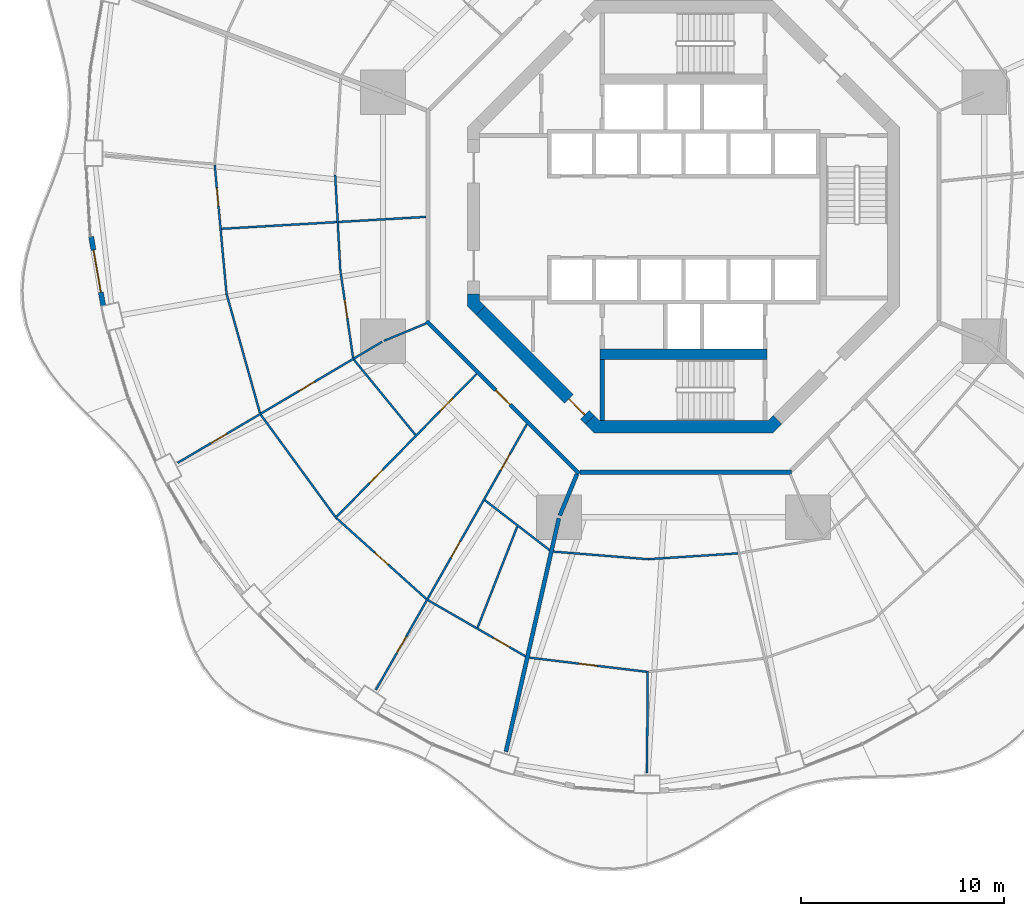
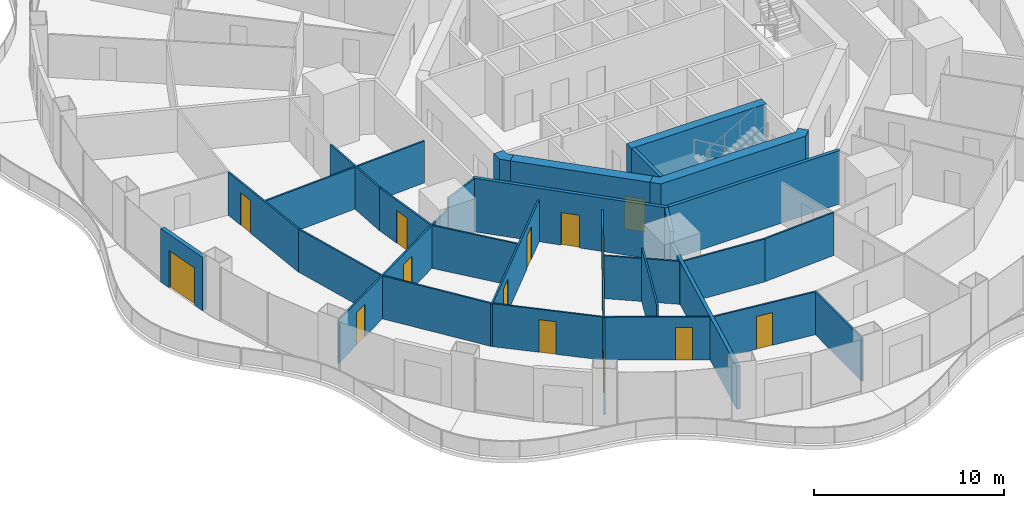
# One storey, part 14 of 22: 29 walls, 15 doors, 15 openings.
"""IFC4 building model written with IfcOpenShell, lengths in metres."""

from ifc_helpers import new_model, si_unit, direction, frame, frame_2d, origin, place, context, subcontext, project, spatial, polyline, rectangle, outline, extrude, material, layer, layer_set, type_object, element, fill, save


model = new_model("IFC4")

# Units and contexts
model_context = context("Model", 3, precision=1e-05, world=origin(), true_north=direction((0.0, 1.0)))
body_context = subcontext(model_context, "Body", "Model", "MODEL_VIEW")
ifc_project = project(units=[si_unit("LENGTHUNIT", "METRE"), si_unit("AREAUNIT", "SQUARE_METRE"), si_unit("VOLUMEUNIT", "CUBIC_METRE"), si_unit("PLANEANGLEUNIT", "RADIAN"), si_unit("MASSUNIT", "GRAM", prefix="KILO")], contexts=[model_context])

# Site, building, storey
site_placement = place(None, origin())
site = spatial("IfcSite", under=ifc_project, at=site_placement, CompositionType="ELEMENT")
building_placement = place(site_placement, origin())
building = spatial("IfcBuilding", under=site, at=building_placement, Name="Nagisa Residences", CompositionType="ELEMENT")
storey_placement = place(building_placement, frame((0.0, 0.0, 99.199951171875)))
storey = spatial("IfcBuildingStorey", under=building, at=storey_placement, Name="L24", CompositionType="ELEMENT", Elevation=99.199951171875)

# Walls
ifc_material_1 = material(Name="Gypsum board on steel studs", Category="steel")
ifc_layer_1 = layer(ifc_material_1, 0.199951171875)
ifc_layer_set_1 = layer_set([ifc_layer_1], Name="Apartment compartment wall EI60 200")
wall_type_1 = type_object("IfcWallType", Name="Apartment compartment wall EI60 200", PredefinedType="PARTITIONING", material=ifc_layer_set_1)
wall_1_placement = place(storey_placement, frame((-5.24267578125, -12.6572265625, 0.0), z_axis=(0.0, 0.0, 1.0), x_axis=(-0.382668627144, -0.923885664896, 0.0)))
element("IfcWall", 1, at=wall_1_placement, inside=storey, type_object=wall_type_1, Name="wall:L24:u06", PredefinedType="PARTITIONING", context=body_context, shape_type="SweptSolid", body=[
    extrude(rectangle(XDim=2.200439453125, YDim=0.199951171875, at=frame_2d((1.10009765625, 0.0))), origin(), (0.0, 0.0, 1.0), 3.43994140625),
])
wall_2_placement = place(storey_placement, frame((-6.134033203125, -14.830810546875, 0.0), z_axis=(0.0, 0.0, 1.0), x_axis=(-0.221225405869, -0.975222702667, 0.0)))
element("IfcWall", 2, at=wall_2_placement, inside=storey, type_object=wall_type_1, Name="wall:L24:u07", PredefinedType="PARTITIONING", context=body_context, shape_type="SweptSolid", body=[
    extrude(rectangle(XDim=11.760986328125, YDim=0.199951171875, at=frame_2d((5.88037109375, 0.0))), origin(), (0.0, 0.0, 1.0), 2.761962890625),
])

# Wall, opening, door
ifc_material_2 = material(Name="Gypsum board on steel studs", Category="steel")
ifc_layer_2 = layer(ifc_material_2, 0.199951171875)
ifc_layer_set_2 = layer_set([ifc_layer_2], Name="Apartment entry wall EI60 200")
wall_type_2 = type_object("IfcWallType", Name="Apartment entry wall EI60 200", PredefinedType="PARTITIONING", material=ifc_layer_set_2)
wall_3_placement = place(storey_placement, frame((-12.635498046875, -5.1337890625, 0.0), z_axis=(0.0, 0.0, 1.0), x_axis=(0.707106781187, -0.707106781187, 0.0)))
wall_3 = element("IfcWall", 3, at=wall_3_placement, inside=storey, type_object=wall_type_2, Name="wall:L24:u15", PredefinedType="PARTITIONING", context=body_context, shape_type="SweptSolid", body=[
    extrude(rectangle(XDim=10.609130859375, YDim=0.199951171875, at=frame_2d((5.3046875, 0.0))), origin(), (0.0, 0.0, 1.0), 3.43994140625),
])
opening_1_placement = place(wall_3_placement, frame((4.804443359375, 0.0, 0.0)))
opening_1 = element("IfcOpeningElement", 4, at=opening_1_placement, cuts=wall_3, Name="Opening L24-U01", PredefinedType="OPENING", context=body_context, shape_type="SweptSolid", body=[
    extrude(rectangle(XDim=1.0, YDim=2.10009765625, at=frame_2d((0.5, 1.050048828125))), frame((0.0, 0.10986328125, 0.0), z_axis=(0.0, -1.0, 0.0), x_axis=(1.0, 0.0, 0.0)), (0.0, 0.0, 1.0), 0.219970703125),
])
ifc_material_3 = material(Name="Timber fire door set", Category="wood")
door_type_1 = type_object("IfcDoorType", Name="Apartment entry door FD30S 1000x2100", OperationType="NOTDEFINED", PredefinedType="DOOR", material=ifc_material_3)
door_1_placement = place(opening_1_placement, frame((1.0, 0.0, 0.0), x_axis=(-1.0, 0.0, 0.0)))
door_1 = element("IfcDoor", 5, at=door_1_placement, inside=storey, type_object=door_type_1, Name="Entry door, Apartment 24A", OperationType="SINGLE_SWING_RIGHT", OverallHeight=2.10009765625, OverallWidth=1.0, PredefinedType="DOOR", context=body_context, shape_type="SweptSolid", body=[
    extrude(rectangle(XDim=1.0, YDim=2.10009765625, at=frame_2d((0.5, 1.050048828125))), frame((0.0, 0.02490234375, 0.0), z_axis=(0.0, -1.0, 0.0), x_axis=(1.0, 0.0, 0.0)), (0.0, 0.0, 1.0), 0.050048828125),
])
fill(opening_1, door_1)

# Walls
wall_4_placement = place(storey_placement, frame((-5.1044921875, -12.564697265625, 0.0), z_axis=(0.0, 0.0, 1.0), x_axis=(1.0, 0.0, 0.0)))
element("IfcWall", 6, at=wall_4_placement, inside=storey, type_object=wall_type_2, Name="wall:L24:u16", PredefinedType="PARTITIONING", context=body_context, shape_type="SweptSolid", body=[
    extrude(rectangle(XDim=10.408935546875, YDim=0.199951171875, at=frame_2d((5.20458984375, 0.0))), origin(), (0.0, 0.0, 1.0), 3.43994140625),
])
ifc_material_4 = material(Name="Gypsum board on steel studs", Category="steel")
ifc_layer_3 = layer(ifc_material_4, 0.10009765625)
ifc_layer_set_3 = layer_set([ifc_layer_3], Name="Apartment partition 100")
wall_type_3 = type_object("IfcWallType", Name="Apartment partition 100", PredefinedType="PARTITIONING", material=ifc_layer_set_3)
wall_5_placement = place(storey_placement, frame((-17.13330078125, 2.058349609375, 0.0), z_axis=(0.0, 0.0, 1.0), x_axis=(0.053747728717, -0.99855454616, 0.0)))
element("IfcWall", 7, at=wall_5_placement, inside=storey, type_object=wall_type_3, Name="wall:L24:u56", PredefinedType="PARTITIONING", context=body_context, shape_type="SweptSolid", body=[
    extrude(rectangle(XDim=4.7421875, YDim=0.10009765625, at=frame_2d((2.37109375, 0.0))), origin(), (0.0, 0.0, 1.0), 2.761962890625),
])

# Wall, opening, door
wall_6_placement = place(storey_placement, frame((-23.056884765625, 2.54248046875, 0.0), z_axis=(0.0, 0.0, 1.0), x_axis=(0.091364304609, -0.995817535417, 0.0)))
wall_6 = element("IfcWall", 8, at=wall_6_placement, inside=storey, type_object=wall_type_3, Name="wall:L24:u58", PredefinedType="PARTITIONING", context=body_context, shape_type="SweptSolid", body=[
    extrude(rectangle(XDim=6.402587890625, YDim=0.10009765625, at=frame_2d((3.201171875, 0.0))), origin(), (0.0, 0.0, 1.0), 2.761962890625),
])
opening_2_placement = place(wall_6_placement, frame((1.12548828125, 0.0, 0.0)))
opening_2 = element("IfcOpeningElement", 9, at=opening_2_placement, cuts=wall_6, Name="Opening L24-U12", PredefinedType="OPENING", context=body_context, shape_type="SweptSolid", body=[
    extrude(rectangle(XDim=0.89990234375, YDim=2.10009765625, at=frame_2d((0.449951171875, 1.050048828125))), frame((0.0, 0.06005859375, 0.0), z_axis=(0.0, -1.0, 0.0), x_axis=(1.0, 0.0, 0.0)), (0.0, 0.0, 1.0), 0.1201171875),
])
ifc_material_5 = material(Name="Timber door set", Category="wood")
door_type_2 = type_object("IfcDoorType", Name="Apartment door 900x2100", OperationType="NOTDEFINED", PredefinedType="DOOR", material=ifc_material_5)
door_2_placement = place(opening_2_placement, origin())
door_2 = element("IfcDoor", 10, at=door_2_placement, inside=storey, type_object=door_type_2, Name="Door to dining room, Apartment 24A", OperationType="SINGLE_SWING_RIGHT", OverallHeight=2.10009765625, OverallWidth=0.89990234375, PredefinedType="DOOR", context=body_context, shape_type="SweptSolid", body=[
    extrude(rectangle(XDim=0.89990234375, YDim=2.10009765625, at=frame_2d((0.449951171875, 1.050048828125))), frame((0.0, 0.02490234375, 0.0), z_axis=(0.0, -1.0, 0.0), x_axis=(1.0, 0.0, 0.0)), (0.0, 0.0, 1.0), 0.050048828125),
])
fill(opening_2, door_2)

# Wall
wall_7_placement = place(storey_placement, frame((-12.66455078125, -0.005859375, 0.0), z_axis=(0.0, 0.0, 1.0), x_axis=(-0.998300603128, -0.058274400843, 0.0)))
element("IfcWall", 11, at=wall_7_placement, inside=storey, type_object=wall_type_3, Name="wall:L24:u59", PredefinedType="PARTITIONING", context=body_context, shape_type="SweptSolid", body=[
    extrude(rectangle(XDim=10.071533203125, YDim=0.10009765625, at=frame_2d((5.03564453125, 0.0))), origin(), (0.0, 0.0, 1.0), 2.68701171875),
])

# Wall, opening, door
wall_8_placement = place(storey_placement, frame((-16.8740234375, -2.676513671875, 0.0), z_axis=(0.0, 0.0, 1.0), x_axis=(0.144260658133, -0.989539722555, 0.0)))
wall_8 = element("IfcWall", 12, at=wall_8_placement, inside=storey, type_object=wall_type_3, Name="wall:L24:u60", PredefinedType="PARTITIONING", context=body_context, shape_type="SweptSolid", body=[
    extrude(rectangle(XDim=4.308837890625, YDim=0.10009765625, at=frame_2d((2.154296875, 0.0))), origin(), (0.0, 0.0, 1.0), 2.761962890625),
])
opening_3_placement = place(wall_8_placement, frame((1.43359375, 0.0, 0.0)))
opening_3 = element("IfcOpeningElement", 13, at=opening_3_placement, cuts=wall_8, Name="Opening L24-U11", PredefinedType="OPENING", context=body_context, shape_type="SweptSolid", body=[
    extrude(rectangle(XDim=0.89990234375, YDim=2.10009765625, at=frame_2d((0.449951171875, 1.050048828125))), frame((0.0, 0.06005859375, 0.0), z_axis=(0.0, -1.0, 0.0), x_axis=(1.0, 0.0, 0.0)), (0.0, 0.0, 1.0), 0.1201171875),
])
door_3_placement = place(opening_3_placement, origin())
door_3 = element("IfcDoor", 14, at=door_3_placement, inside=storey, type_object=door_type_2, Name="Door to store, Apartment 24A", OperationType="SINGLE_SWING_LEFT", OverallHeight=2.10009765625, OverallWidth=0.89990234375, PredefinedType="DOOR", context=body_context, shape_type="SweptSolid", body=[
    extrude(rectangle(XDim=0.89990234375, YDim=2.10009765625, at=frame_2d((0.449951171875, 1.050048828125))), frame((0.0, 0.02490234375, 0.0), z_axis=(0.0, -1.0, 0.0), x_axis=(1.0, 0.0, 0.0)), (0.0, 0.0, 1.0), 0.050048828125),
])
fill(opening_3, door_3)

# Walls
wall_9_placement = place(storey_placement, frame((-22.462890625, -3.83154296875, 0.0), z_axis=(0.0, 0.0, 1.0), x_axis=(0.269797759333, -0.962917010473, 0.0)))
element("IfcWall", 15, at=wall_9_placement, inside=storey, type_object=wall_type_3, Name="wall:L24:u61", PredefinedType="PARTITIONING", context=body_context, shape_type="SweptSolid", body=[
    extrude(rectangle(XDim=6.04296875, YDim=0.10009765625, at=frame_2d((3.021484375, 0.0))), origin(), (0.0, 0.0, 1.0), 2.761962890625),
])
wall_10_placement = place(storey_placement, frame((-12.6572265625, -5.24267578125, 0.0), z_axis=(0.0, 0.0, 1.0), x_axis=(-0.923848837015, -0.382757529444, 0.0)))
element("IfcWall", 16, at=wall_10_placement, inside=storey, type_object=wall_type_3, Name="wall:L24:u62", PredefinedType="PARTITIONING", context=body_context, shape_type="SweptSolid", body=[
    extrude(rectangle(XDim=2.249755859375, YDim=0.10009765625, at=frame_2d((1.125, 0.0))), origin(), (0.0, 0.0, 1.0), 3.43994140625),
])

# Wall, openings, doors
wall_11_placement = place(storey_placement, frame((-14.824951171875, -6.1484375, 0.0), z_axis=(0.0, 0.0, 1.0), x_axis=(-0.860400431487, -0.509618580408, 0.0)))
wall_11 = element("IfcWall", 17, at=wall_11_placement, inside=storey, type_object=wall_type_3, Name="wall:L24:u63", PredefinedType="PARTITIONING", context=body_context, shape_type="SweptSolid", body=[
    extrude(rectangle(XDim=11.687744140625, YDim=0.10009765625, at=frame_2d((5.84375, 0.0))), origin(), (0.0, 0.0, 1.0), 2.761962890625),
])
opening_4_placement = place(wall_11_placement, frame((3.8583984375, 0.0, 0.0)))
opening_4 = element("IfcOpeningElement", 18, at=opening_4_placement, cuts=wall_11, Name="Opening L24-U08", PredefinedType="OPENING", context=body_context, shape_type="SweptSolid", body=[
    extrude(rectangle(XDim=0.89990234375, YDim=2.10009765625, at=frame_2d((0.449951171875, 1.050048828125))), frame((0.0, 0.06005859375, 0.0), z_axis=(0.0, -1.0, 0.0), x_axis=(1.0, 0.0, 0.0)), (0.0, 0.0, 1.0), 0.1201171875),
])
opening_5_placement = place(wall_11_placement, frame((8.876953125, 0.0, 0.0)))
opening_5 = element("IfcOpeningElement", 19, at=opening_5_placement, cuts=wall_11, Name="Opening L24-U10", PredefinedType="OPENING", context=body_context, shape_type="SweptSolid", body=[
    extrude(rectangle(XDim=0.89990234375, YDim=2.10009765625, at=frame_2d((0.449951171875, 1.050048828125))), frame((0.0, 0.06005859375, 0.0), z_axis=(0.0, -1.0, 0.0), x_axis=(1.0, 0.0, 0.0)), (0.0, 0.0, 1.0), 0.1201171875),
])
door_4_placement = place(opening_4_placement, frame((0.89990234375, 0.0, 0.0), x_axis=(-1.0, 0.0, 0.0)))
door_4 = element("IfcDoor", 20, at=door_4_placement, inside=storey, type_object=door_type_2, Name="Door to kitchen, Apartment 24A", OperationType="SINGLE_SWING_LEFT", OverallHeight=2.10009765625, OverallWidth=0.89990234375, PredefinedType="DOOR", context=body_context, shape_type="SweptSolid", body=[
    extrude(rectangle(XDim=0.89990234375, YDim=2.10009765625, at=frame_2d((0.449951171875, 1.050048828125))), frame((0.0, 0.02490234375, 0.0), z_axis=(0.0, -1.0, 0.0), x_axis=(1.0, 0.0, 0.0)), (0.0, 0.0, 1.0), 0.050048828125),
])
fill(opening_4, door_4)
door_5_placement = place(opening_5_placement, frame((0.89990234375, 0.0, 0.0), x_axis=(-1.0, 0.0, 0.0)))
door_5 = element("IfcDoor", 21, at=door_5_placement, inside=storey, type_object=door_type_2, Name="Door to living room, Apartment 24A", OperationType="SINGLE_SWING_LEFT", OverallHeight=2.10009765625, OverallWidth=0.89990234375, PredefinedType="DOOR", context=body_context, shape_type="SweptSolid", body=[
    extrude(rectangle(XDim=0.89990234375, YDim=2.10009765625, at=frame_2d((0.449951171875, 1.050048828125))), frame((0.0, 0.02490234375, 0.0), z_axis=(0.0, -1.0, 0.0), x_axis=(1.0, 0.0, 0.0)), (0.0, 0.0, 1.0), 0.050048828125),
])
fill(opening_5, door_5)

# Walls
wall_12_placement = place(storey_placement, frame((-16.213623046875, -7.0283203125, 0.0), z_axis=(0.0, 0.0, 1.0), x_axis=(0.633396341139, -0.773827548639, 0.0)))
element("IfcWall", 22, at=wall_12_placement, inside=storey, type_object=wall_type_3, Name="wall:L24:u64", PredefinedType="PARTITIONING", context=body_context, shape_type="SweptSolid", body=[
    extrude(rectangle(XDim=4.779052734375, YDim=0.10009765625, at=frame_2d((2.3896484375, 0.0))), origin(), (0.0, 0.0, 1.0), 2.761962890625),
])
wall_13_placement = place(storey_placement, frame((-20.78955078125, -9.739013671875, 0.0), z_axis=(0.0, 0.0, 1.0), x_axis=(0.589611246748, -0.807687178126, 0.0)))
element("IfcWall", 23, at=wall_13_placement, inside=storey, type_object=wall_type_3, Name="wall:L24:u65", PredefinedType="PARTITIONING", context=body_context, shape_type="SweptSolid", body=[
    extrude(rectangle(XDim=6.207763671875, YDim=0.10009765625, at=frame_2d((3.10400390625, 0.0))), origin(), (0.0, 0.0, 1.0), 2.761962890625),
])

# Wall, openings, doors
wall_14_placement = place(storey_placement, frame((-10.181396484375, -7.729248046875, 0.0), z_axis=(0.0, 0.0, 1.0), x_axis=(-0.699710752188, -0.714426247609, 0.0)))
wall_14 = element("IfcWall", 24, at=wall_14_placement, inside=storey, type_object=wall_type_3, Name="wall:L24:u66", PredefinedType="PARTITIONING", context=body_context, shape_type="SweptSolid", body=[
    extrude(rectangle(XDim=9.937744140625, YDim=0.10009765625, at=frame_2d((4.96875, 0.0))), origin(), (0.0, 0.0, 1.0), 2.68701171875),
])
opening_6_placement = place(wall_14_placement, frame((1.6748046875, 0.0, 0.0)))
opening_6 = element("IfcOpeningElement", 25, at=opening_6_placement, cuts=wall_14, Name="Opening L24-U02", PredefinedType="OPENING", context=body_context, shape_type="SweptSolid", body=[
    extrude(rectangle(XDim=0.89990234375, YDim=2.10009765625, at=frame_2d((0.449951171875, 1.050048828125))), frame((0.0, 0.06005859375, 0.0), z_axis=(0.0, -1.0, 0.0), x_axis=(1.0, 0.0, 0.0)), (0.0, 0.0, 1.0), 0.1201171875),
])
opening_7_placement = place(wall_14_placement, frame((6.61865234375, 0.0, 0.0)))
opening_7 = element("IfcOpeningElement", 26, at=opening_7_placement, cuts=wall_14, Name="Opening L24-U04", PredefinedType="OPENING", context=body_context, shape_type="SweptSolid", body=[
    extrude(rectangle(XDim=0.89990234375, YDim=2.10009765625, at=frame_2d((0.449951171875, 1.050048828125))), frame((0.0, 0.06005859375, 0.0), z_axis=(0.0, -1.0, 0.0), x_axis=(1.0, 0.0, 0.0)), (0.0, 0.0, 1.0), 0.1201171875),
])
door_6_placement = place(opening_6_placement, frame((0.89990234375, 0.0, 0.0), x_axis=(-1.0, 0.0, 0.0)))
door_6 = element("IfcDoor", 27, at=door_6_placement, inside=storey, type_object=door_type_2, Name="Door to family bathroom, Apartment 24A", OperationType="SINGLE_SWING_LEFT", OverallHeight=2.10009765625, OverallWidth=0.89990234375, PredefinedType="DOOR", context=body_context, shape_type="SweptSolid", body=[
    extrude(rectangle(XDim=0.89990234375, YDim=2.10009765625, at=frame_2d((0.449951171875, 1.050048828125))), frame((0.0, 0.02490234375, 0.0), z_axis=(0.0, -1.0, 0.0), x_axis=(1.0, 0.0, 0.0)), (0.0, 0.0, 1.0), 0.050048828125),
])
fill(opening_6, door_6)
door_7_placement = place(opening_7_placement, frame((0.89990234375, 0.0, 0.0), x_axis=(-1.0, 0.0, 0.0)))
door_7 = element("IfcDoor", 28, at=door_7_placement, inside=storey, type_object=door_type_2, Name="Door to study, Apartment 24A", OperationType="SINGLE_SWING_LEFT", OverallHeight=2.10009765625, OverallWidth=0.89990234375, PredefinedType="DOOR", context=body_context, shape_type="SweptSolid", body=[
    extrude(rectangle(XDim=0.89990234375, YDim=2.10009765625, at=frame_2d((0.449951171875, 1.050048828125))), frame((0.0, 0.02490234375, 0.0), z_axis=(0.0, -1.0, 0.0), x_axis=(1.0, 0.0, 0.0)), (0.0, 0.0, 1.0), 0.050048828125),
])
fill(opening_7, door_7)

# Wall, opening, door
wall_15_placement = place(storey_placement, frame((-17.062744140625, -14.826904296875, 0.0), z_axis=(0.0, 0.0, 1.0), x_axis=(0.743478142868, -0.668760234373, 0.0)))
wall_15 = element("IfcWall", 29, at=wall_15_placement, inside=storey, type_object=wall_type_3, Name="wall:L24:u67", PredefinedType="PARTITIONING", context=body_context, shape_type="SweptSolid", body=[
    extrude(rectangle(XDim=5.93701171875, YDim=0.10009765625, at=frame_2d((2.968505859375, 0.0))), origin(), (0.0, 0.0, 1.0), 2.761962890625),
])
opening_8_placement = place(wall_15_placement, frame((2.5185546875, 0.0, 0.0)))
opening_8 = element("IfcOpeningElement", 30, at=opening_8_placement, cuts=wall_15, Name="Opening L24-U06", PredefinedType="OPENING", context=body_context, shape_type="SweptSolid", body=[
    extrude(rectangle(XDim=0.89990234375, YDim=2.10009765625, at=frame_2d((0.449951171875, 1.050048828125))), frame((0.0, 0.06005859375, 0.0), z_axis=(0.0, -1.0, 0.0), x_axis=(1.0, 0.0, 0.0)), (0.0, 0.0, 1.0), 0.1201171875),
])
door_8_placement = place(opening_8_placement, frame((0.89990234375, 0.0, 0.0), x_axis=(-1.0, 0.0, 0.0)))
door_8 = element("IfcDoor", 31, at=door_8_placement, inside=storey, type_object=door_type_2, Name="Door to family room, Apartment 24A", OperationType="SINGLE_SWING_LEFT", OverallHeight=2.10009765625, OverallWidth=0.89990234375, PredefinedType="DOOR", context=body_context, shape_type="SweptSolid", body=[
    extrude(rectangle(XDim=0.89990234375, YDim=2.10009765625, at=frame_2d((0.449951171875, 1.050048828125))), frame((0.0, 0.02490234375, 0.0), z_axis=(0.0, -1.0, 0.0), x_axis=(1.0, 0.0, 0.0)), (0.0, 0.0, 1.0), 0.050048828125),
])
fill(opening_8, door_8)

# Wall, openings, doors
wall_16_placement = place(storey_placement, frame((-7.707275390625, -10.1982421875, 0.0), z_axis=(0.0, 0.0, 1.0), x_axis=(-0.49395524734, -0.869487328042, 0.0)))
wall_16 = element("IfcWall", 32, at=wall_16_placement, inside=storey, type_object=wall_type_3, Name="wall:L24:u68", PredefinedType="PARTITIONING", context=body_context, shape_type="SweptSolid", body=[
    extrude(rectangle(XDim=15.02490234375, YDim=0.10009765625, at=frame_2d((7.512451171875, 0.0))), origin(), (0.0, 0.0, 1.0), 2.68701171875),
])
opening_9_placement = place(wall_16_placement, frame((1.68359375, 0.0, 0.0)))
opening_9 = element("IfcOpeningElement", 33, at=opening_9_placement, cuts=wall_16, Name="Opening L24-U03", PredefinedType="OPENING", context=body_context, shape_type="SweptSolid", body=[
    extrude(rectangle(XDim=0.89990234375, YDim=2.10009765625, at=frame_2d((0.449951171875, 1.050048828125))), frame((0.0, 0.06005859375, 0.0), z_axis=(0.0, -1.0, 0.0), x_axis=(1.0, 0.0, 0.0)), (0.0, 0.0, 1.0), 0.1201171875),
])
opening_10_placement = place(wall_16_placement, frame((6.647705078125, 0.0, 0.0)))
opening_10 = element("IfcOpeningElement", 34, at=opening_10_placement, cuts=wall_16, Name="Opening L24-U05", PredefinedType="OPENING", context=body_context, shape_type="SweptSolid", body=[
    extrude(rectangle(XDim=0.89990234375, YDim=2.10009765625, at=frame_2d((0.449951171875, 1.050048828125))), frame((0.0, 0.06005859375, 0.0), z_axis=(0.0, -1.0, 0.0), x_axis=(1.0, 0.0, 0.0)), (0.0, 0.0, 1.0), 0.1201171875),
])
opening_11_placement = place(wall_16_placement, frame((12.026611328125, 0.0, 0.0)))
opening_11 = element("IfcOpeningElement", 35, at=opening_11_placement, cuts=wall_16, Name="Opening L24-U07", PredefinedType="OPENING", context=body_context, shape_type="SweptSolid", body=[
    extrude(rectangle(XDim=0.89990234375, YDim=2.10009765625, at=frame_2d((0.449951171875, 1.050048828125))), frame((0.0, 0.06005859375, 0.0), z_axis=(0.0, -1.0, 0.0), x_axis=(1.0, 0.0, 0.0)), (0.0, 0.0, 1.0), 0.1201171875),
])
door_9_placement = place(opening_9_placement, origin())
door_9 = element("IfcDoor", 36, at=door_9_placement, inside=storey, type_object=door_type_2, Name="Door to family bathroom, Apartment 24A", OperationType="SINGLE_SWING_LEFT", OverallHeight=2.10009765625, OverallWidth=0.89990234375, PredefinedType="DOOR", context=body_context, shape_type="SweptSolid", body=[
    extrude(rectangle(XDim=0.89990234375, YDim=2.10009765625, at=frame_2d((0.449951171875, 1.050048828125))), frame((0.0, 0.02490234375, 0.0), z_axis=(0.0, -1.0, 0.0), x_axis=(1.0, 0.0, 0.0)), (0.0, 0.0, 1.0), 0.050048828125),
])
fill(opening_9, door_9)
door_10_placement = place(opening_10_placement, origin())
door_10 = element("IfcDoor", 37, at=door_10_placement, inside=storey, type_object=door_type_2, Name="Door to family bathroom, Apartment 24A", OperationType="SINGLE_SWING_LEFT", OverallHeight=2.10009765625, OverallWidth=0.89990234375, PredefinedType="DOOR", context=body_context, shape_type="SweptSolid", body=[
    extrude(rectangle(XDim=0.89990234375, YDim=2.10009765625, at=frame_2d((0.449951171875, 1.050048828125))), frame((0.0, 0.02490234375, 0.0), z_axis=(0.0, -1.0, 0.0), x_axis=(1.0, 0.0, 0.0)), (0.0, 0.0, 1.0), 0.050048828125),
])
fill(opening_10, door_10)
door_11_placement = place(opening_11_placement, origin())
door_11 = element("IfcDoor", 38, at=door_11_placement, inside=storey, type_object=door_type_2, Name="Door to master bedroom, Apartment 24A", OperationType="SINGLE_SWING_LEFT", OverallHeight=2.10009765625, OverallWidth=0.89990234375, PredefinedType="DOOR", context=body_context, shape_type="SweptSolid", body=[
    extrude(rectangle(XDim=0.89990234375, YDim=2.10009765625, at=frame_2d((0.449951171875, 1.050048828125))), frame((0.0, 0.02490234375, 0.0), z_axis=(0.0, -1.0, 0.0), x_axis=(1.0, 0.0, 0.0)), (0.0, 0.0, 1.0), 0.050048828125),
])
fill(opening_11, door_11)

# Wall
wall_17_placement = place(storey_placement, frame((-9.775390625, -13.93896484375, 0.0), z_axis=(0.0, 0.0, 1.0), x_axis=(0.792162117554, -0.610310723741, 0.0)))
element("IfcWall", 39, at=wall_17_placement, inside=storey, type_object=wall_type_3, Name="wall:L24:u69", PredefinedType="PARTITIONING", context=body_context, shape_type="SweptSolid", body=[
    extrude(rectangle(XDim=4.0302734375, YDim=0.10009765625, at=frame_2d((2.01513671875, 0.0))), origin(), (0.0, 0.0, 1.0), 2.761962890625),
])

# Wall, opening, door
wall_18_placement = place(storey_placement, frame((-12.568115234375, -18.855712890625, 0.0), z_axis=(0.0, 0.0, 1.0), x_axis=(0.866533437451, -0.499119025664, 0.0)))
wall_18 = element("IfcWall", 40, at=wall_18_placement, inside=storey, type_object=wall_type_3, Name="wall:L24:u70", PredefinedType="PARTITIONING", context=body_context, shape_type="SweptSolid", body=[
    extrude(rectangle(XDim=5.53515625, YDim=0.10009765625, at=frame_2d((2.767578125, 0.0))), origin(), (0.0, 0.0, 1.0), 2.761962890625),
])
opening_12_placement = place(wall_18_placement, frame((3.7138671875, 0.0, 0.0)))
opening_12 = element("IfcOpeningElement", 41, at=opening_12_placement, cuts=wall_18, Name="Opening L24-U09", PredefinedType="OPENING", context=body_context, shape_type="SweptSolid", body=[
    extrude(rectangle(XDim=0.89990234375, YDim=2.10009765625, at=frame_2d((0.449951171875, 1.050048828125))), frame((0.0, 0.06005859375, 0.0), z_axis=(0.0, -1.0, 0.0), x_axis=(1.0, 0.0, 0.0)), (0.0, 0.0, 1.0), 0.1201171875),
])
door_12_placement = place(opening_12_placement, origin())
door_12 = element("IfcDoor", 42, at=door_12_placement, inside=storey, type_object=door_type_2, Name="Door to en-suite bathroom, Apartment 24A", OperationType="SINGLE_SWING_LEFT", OverallHeight=2.10009765625, OverallWidth=0.89990234375, PredefinedType="DOOR", context=body_context, shape_type="SweptSolid", body=[
    extrude(rectangle(XDim=0.89990234375, YDim=2.10009765625, at=frame_2d((0.449951171875, 1.050048828125))), frame((0.0, 0.02490234375, 0.0), z_axis=(0.0, -1.0, 0.0), x_axis=(1.0, 0.0, 0.0)), (0.0, 0.0, 1.0), 0.050048828125),
])
fill(opening_12, door_12)

# Walls
wall_19_placement = place(storey_placement, frame((-8.177490234375, -15.230712890625, 0.0), z_axis=(0.0, 0.0, 1.0), x_axis=(-0.365520869553, -0.930803144559, 0.0)))
element("IfcWall", 43, at=wall_19_placement, inside=storey, type_object=wall_type_3, Name="wall:L24:u71", PredefinedType="PARTITIONING", context=body_context, shape_type="SweptSolid", body=[
    extrude(rectangle(XDim=5.342041015625, YDim=0.10009765625, at=frame_2d((2.6708984375, 0.0))), origin(), (0.0, 0.0, 1.0), 3.43994140625),
])
wall_20_placement = place(storey_placement, frame((-6.40380859375, -16.467529296875, 0.0), z_axis=(0.0, 0.0, 1.0), x_axis=(0.996817253426, -0.079720532316, 0.0)))
element("IfcWall", 44, at=wall_20_placement, inside=storey, type_object=wall_type_3, Name="wall:L24:u72", PredefinedType="PARTITIONING", context=body_context, shape_type="SweptSolid", body=[
    extrude(rectangle(XDim=4.716064453125, YDim=0.10009765625, at=frame_2d((2.35791015625, 0.0))), origin(), (0.0, 0.0, 1.0), 2.761962890625),
])

# Wall, opening, door
wall_21_placement = place(storey_placement, frame((-7.5859375, -21.680419921875, 0.0), z_axis=(0.0, 0.0, 1.0), x_axis=(0.992810189026, -0.119699325668, 0.0)))
wall_21 = element("IfcWall", 45, at=wall_21_placement, inside=storey, type_object=wall_type_3, Name="wall:L24:u73", PredefinedType="PARTITIONING", context=body_context, shape_type="SweptSolid", body=[
    extrude(rectangle(XDim=5.802734375, YDim=0.10009765625, at=frame_2d((2.9013671875, 0.0))), origin(), (0.0, 0.0, 1.0), 2.761962890625),
])
opening_13_placement = place(wall_21_placement, frame((2.451416015625, 0.0, 0.0)))
opening_13 = element("IfcOpeningElement", 46, at=opening_13_placement, cuts=wall_21, Name="Opening L24-U25", PredefinedType="OPENING", context=body_context, shape_type="SweptSolid", body=[
    extrude(rectangle(XDim=0.89990234375, YDim=2.10009765625, at=frame_2d((0.449951171875, 1.050048828125))), frame((0.0, 0.06005859375, 0.0), z_axis=(0.0, -1.0, 0.0), x_axis=(1.0, 0.0, 0.0)), (0.0, 0.0, 1.0), 0.1201171875),
])
door_13_placement = place(opening_13_placement, frame((0.89990234375, 0.0, 0.0), x_axis=(-1.0, 0.0, 0.0)))
door_13 = element("IfcDoor", 47, at=door_13_placement, inside=storey, type_object=door_type_2, Name="Door to master bedroom, Apartment 24B", OperationType="SINGLE_SWING_RIGHT", OverallHeight=2.10009765625, OverallWidth=0.89990234375, PredefinedType="DOOR", context=body_context, shape_type="SweptSolid", body=[
    extrude(rectangle(XDim=0.89990234375, YDim=2.10009765625, at=frame_2d((0.449951171875, 1.050048828125))), frame((0.0, 0.02490234375, 0.0), z_axis=(0.0, -1.0, 0.0), x_axis=(1.0, 0.0, 0.0)), (0.0, 0.0, 1.0), 0.050048828125),
])
fill(opening_13, door_13)

# Walls
wall_22_placement = place(storey_placement, frame((-1.70263671875, -16.83642578125, 0.0), z_axis=(0.0, 0.0, 1.0), x_axis=(0.997897941075, 0.064805086209, 0.0)))
element("IfcWall", 48, at=wall_22_placement, inside=storey, type_object=wall_type_3, Name="wall:L24:u74", PredefinedType="PARTITIONING", context=body_context, shape_type="SweptSolid", body=[
    extrude(rectangle(XDim=4.377685546875, YDim=0.10009765625, at=frame_2d((2.18896484375, 0.0))), origin(), (0.0, 0.0, 1.0), 2.761962890625),
])
wall_23_placement = place(storey_placement, frame((-1.775146484375, -22.3310546875, 0.0), z_axis=(0.0, 0.0, 1.0), x_axis=(-0.004088153894, -0.999991643464, 0.0)))
element("IfcWall", 49, at=wall_23_placement, inside=storey, type_object=wall_type_3, Name="wall:L24:u75", PredefinedType="PARTITIONING", context=body_context, shape_type="SweptSolid", body=[
    extrude(rectangle(XDim=5.016357421875, YDim=0.10009765625, at=frame_2d((2.50830078125, 0.0))), origin(), (0.0, 0.0, 1.0), 2.761962890625),
])

# Wall, opening, door
ifc_material_6 = material(Name="Precast concrete C40/50", Category="concrete")
ifc_layer_4 = layer(ifc_material_6, 0.25)
ifc_layer_set_4 = layer_set([ifc_layer_4], Name="BALCONY DOOR WALL 250")
wall_type_4 = type_object("IfcWallType", Name="BALCONY DOOR WALL 250", PredefinedType="SOLIDWALL", material=ifc_layer_set_4)
wall_24_placement = place(storey_placement, frame((-28.5400390625, -4.377197265625, 0.0), z_axis=(0.0, 0.0, 1.0), x_axis=(-0.17223289558, 0.985056257114, 0.0)))
wall_24 = element("IfcWall", 50, at=wall_24_placement, inside=storey, type_object=wall_type_4, Name="wall:L24:bay25", PredefinedType="SOLIDWALL", context=body_context, shape_type="SweptSolid", body=[
    extrude(rectangle(XDim=3.454345703125, YDim=0.25, at=frame_2d((1.72705078125, 0.0))), origin(), (0.0, 0.0, 1.0), 3.43994140625),
])
opening_14_placement = place(wall_24_placement, frame((0.67724609375, 0.0, 0.0)))
opening_14 = element("IfcOpeningElement", 51, at=opening_14_placement, cuts=wall_24, Name="Opening BD-L24-09", PredefinedType="OPENING", context=body_context, shape_type="SweptSolid", body=[
    extrude(rectangle(XDim=2.10009765625, YDim=2.39990234375, at=frame_2d((1.050048828125, 1.199951171875))), frame((0.0, 0.135009765625, 0.0), z_axis=(0.0, -1.0, 0.0), x_axis=(1.0, 0.0, 0.0)), (0.0, 0.0, 1.0), 0.27001953125),
])
ifc_material_7 = material(Name="Aluminium and clear glass", Category="aluminium")
door_type_3 = type_object("IfcDoorType", Name="BALCONY SLIDING DOOR 2100x2400", OperationType="SLIDING_TO_LEFT", PredefinedType="DOOR", material=ifc_material_7)
door_14_placement = place(opening_14_placement, origin())
door_14 = element("IfcDoor", 52, at=door_14_placement, inside=storey, type_object=door_type_3, Name="door:L24:bay25", OperationType="SLIDING_TO_LEFT", OverallHeight=2.39990234375, OverallWidth=2.10009765625, PredefinedType="DOOR", context=body_context, shape_type="SweptSolid", body=[
    extrude(rectangle(XDim=2.10009765625, YDim=2.39990234375, at=frame_2d((1.050048828125, 1.199951171875))), frame((0.0, 0.02490234375, 0.0), z_axis=(0.0, -1.0, 0.0), x_axis=(1.0, 0.0, 0.0)), (0.0, 0.0, 1.0), 0.050048828125),
])
fill(opening_14, door_14)

ifc_material_8 = material(Name="Concrete C60", Category="concrete")
ifc_layer_5 = layer(ifc_material_8, 0.60009765625)
ifc_layer_set_5 = layer_set([ifc_layer_5], Name="Core shear wall 600")
wall_type_5 = type_object("IfcWallType", Name="Core shear wall 600", PredefinedType="SHEAR", material=ifc_layer_set_5)
wall_25_placement = place(storey_placement, frame((-9.98828125, -4.613037109375, 0.0), z_axis=(0.0, 0.0, 1.0), x_axis=(0.707106781187, -0.707106781187, 0.0)))
wall_25 = element("IfcWall", 53, at=wall_25_placement, inside=storey, type_object=wall_type_5, Name="wall:L24:core:flat5", PredefinedType="SHEAR", context=body_context, shape_type="SweptSolid", body=[
    extrude(rectangle(XDim=7.601806640625, YDim=0.60009765625, at=frame_2d((3.80078125, 0.0))), origin(), (0.0, 0.0, 1.0), 3.43994140625),
])
opening_15_placement = place(wall_25_placement, frame((6.15087890625, 0.0, 0.0)))
opening_15 = element("IfcOpeningElement", 54, at=opening_15_placement, cuts=wall_25, Name="Opening L24-C20", PredefinedType="OPENING", context=body_context, shape_type="SweptSolid", body=[
    extrude(rectangle(XDim=1.10009765625, YDim=2.10009765625, at=frame_2d((0.550048828125, 1.050048828125))), frame((0.0, 0.31005859375, 0.0), z_axis=(0.0, -1.0, 0.0), x_axis=(1.0, 0.0, 0.0)), (0.0, 0.0, 1.0), 0.6201171875),
])
ifc_material_9 = material(Name="Steel fire door", Category="steel")
door_type_4 = type_object("IfcDoorType", Name="Fire door EI60 1100x2100 single swing", OperationType="NOTDEFINED", PredefinedType="DOOR", material=ifc_material_9)
door_15_placement = place(opening_15_placement, origin())
door_15 = element("IfcDoor", 55, at=door_15_placement, inside=storey, type_object=door_type_4, Name="Housekeeping lobby door L24", OperationType="SINGLE_SWING_LEFT", OverallHeight=2.10009765625, OverallWidth=1.10009765625, PredefinedType="DOOR", context=body_context, shape_type="SweptSolid", body=[
    extrude(rectangle(XDim=1.10009765625, YDim=2.10009765625, at=frame_2d((0.550048828125, 1.050048828125))), frame((0.0, 0.02490234375, 0.0), z_axis=(0.0, -1.0, 0.0), x_axis=(1.0, 0.0, 0.0)), (0.0, 0.0, 1.0), 0.050048828125),
])
fill(opening_15, door_15)

# Walls
wall_26_placement = place(storey_placement, origin())
element("IfcWall", 56, at=wall_26_placement, inside=storey, type_object=wall_type_5, Name="wall:L24:core:pier4", PredefinedType="SHEAR", context=body_context, shape_type="SweptSolid", body=[
    extrude(outline(polyline([(-10.62451171875, -3.80078125), (-10.024658203125, -3.80078125), (-10.024658203125, -4.15234375), (-9.776123046875, -4.40087890625), (-10.200439453125, -4.8251953125), (-10.62451171875, -4.40087890625), (-10.62451171875, -3.80078125)])), origin(), (0.0, 0.0, 1.0), 3.43994140625),
])
wall_27_placement = place(storey_placement, origin())
element("IfcWall", 57, at=wall_27_placement, inside=storey, type_object=wall_type_5, Name="wall:L24:core:flat6", PredefinedType="SHEAR", context=body_context, shape_type="SweptSolid", body=[
    extrude(outline(polyline([(-4.15234375, -10.024658203125), (4.15234375, -10.024658203125), (4.40087890625, -9.776123046875), (4.8251953125, -10.200439453125), (4.40087890625, -10.62451171875), (-4.40087890625, -10.62451171875), (-4.8251953125, -10.200439453125), (-4.40087890625, -9.776123046875), (-4.15234375, -10.024658203125)])), origin(), (0.0, 0.0, 1.0), 3.43994140625),
])
ifc_material_10 = material(Name="Concrete C60", Category="concrete")
ifc_layer_6 = layer(ifc_material_10, 0.199951171875)
ifc_layer_set_6 = layer_set([ifc_layer_6], Name="Stair enclosure wall 200")
wall_type_6 = type_object("IfcWallType", Name="Stair enclosure wall 200", PredefinedType="SOLIDWALL", material=ifc_layer_set_6)
wall_28_placement = place(storey_placement, origin())
element("IfcWall", 58, at=wall_28_placement, inside=storey, type_object=wall_type_6, Name="wall:L24:SS_w", PredefinedType="SOLIDWALL", context=body_context, shape_type="SweptSolid", body=[
    extrude(outline(polyline([(-3.89990234375, -10.024658203125), (-4.10009765625, -10.024658203125), (-4.10009765625, -7.024658203125), (-3.89990234375, -7.024658203125), (-3.89990234375, -10.024658203125)])), origin(), (0.0, 0.0, 1.0), 3.43994140625),
])
wall_29_placement = place(storey_placement, origin())
element("IfcWall", 59, at=wall_29_placement, inside=storey, type_object=wall_type_6, Name="wall:L24:SS_n", PredefinedType="SOLIDWALL", context=body_context, shape_type="SweptSolid", body=[
    extrude(outline(polyline([(4.10009765625, -7.024658203125), (-4.10009765625, -7.024658203125), (-4.10009765625, -6.5), (4.10009765625, -6.5), (4.10009765625, -7.024658203125)])), origin(), (0.0, 0.0, 1.0), 3.43994140625),
])

save(model, "model.ifc")
